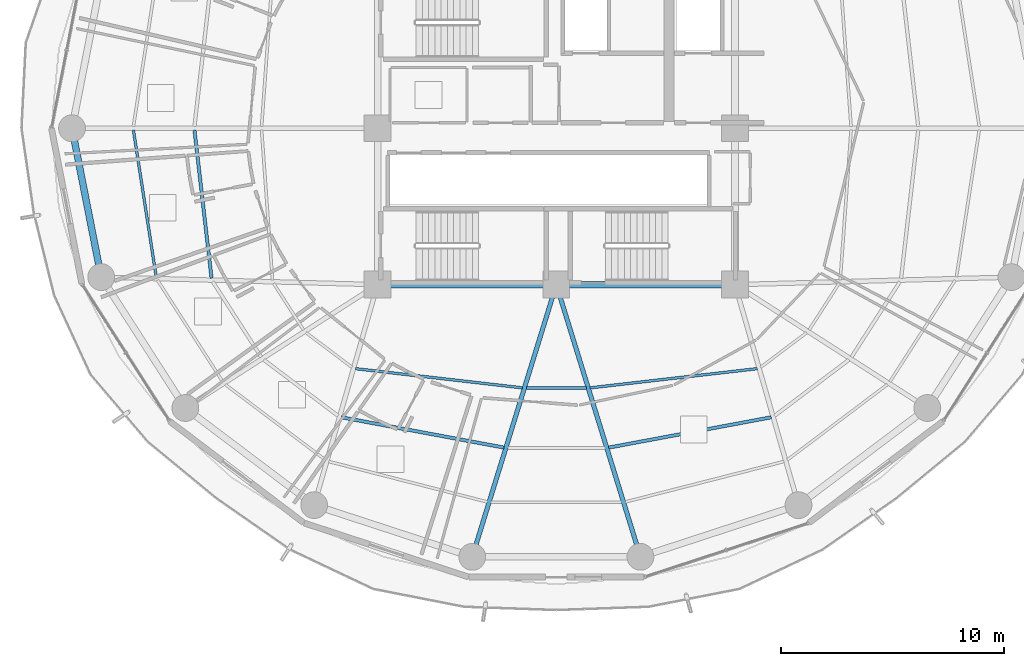
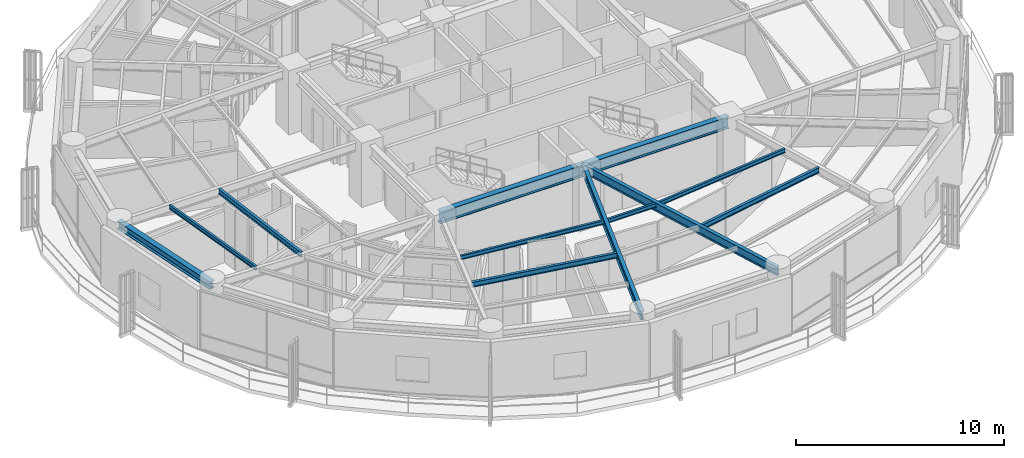
# One storey, part 5 of 29: 12 beams.
"""IFC4 building model written with IfcOpenShell, lengths in metres."""

from ifc_helpers import new_model, si_unit, direction, frame, origin, origin_2d, place, context, subcontext, project, spatial, i_section, extrude, material, material_profile, profile_set, type_object, element, save


model = new_model("IFC4")

# Units and contexts
model_context = context("Model", 3, precision=1e-05, world=origin(), true_north=direction((0.0, 1.0)))
body_context = subcontext(model_context, "Body", "Model", "MODEL_VIEW")
ifc_project = project(units=[si_unit("LENGTHUNIT", "METRE"), si_unit("AREAUNIT", "SQUARE_METRE"), si_unit("VOLUMEUNIT", "CUBIC_METRE"), si_unit("PLANEANGLEUNIT", "RADIAN"), si_unit("MASSUNIT", "GRAM", prefix="KILO")], contexts=[model_context])

# Site, building, storey
site_placement = place(None, origin())
site = spatial("IfcSite", under=ifc_project, at=site_placement, CompositionType="ELEMENT")
building_placement = place(site_placement, origin())
building = spatial("IfcBuilding", under=site, at=building_placement, Name="Kelanora Arch Commons", CompositionType="ELEMENT")
storey_placement = place(building_placement, frame((0.0, 0.0, 135.60009765625)))
storey = spatial("IfcBuildingStorey", under=building, at=storey_placement, Name="L34", CompositionType="ELEMENT", Elevation=135.60009765625)

# Beams
ifc_material = material(Name="Steel S355", Category="steel")
ifc_material_profile_1 = material_profile(ifc_material, i_section(OverallWidth=0.300048828125, OverallDepth=0.699951171875, WebThickness=0.01708984375, FlangeThickness=0.031982421875, FilletRadius=0.027099609375, at=origin_2d()), Name="HEB700")
ifc_profile_set_1 = profile_set([ifc_material_profile_1], Name="Steel S355")
beam_type_1 = type_object("IfcBeamType", Name="BM-CORE-HDR", PredefinedType="BEAM", material=ifc_profile_set_1)
for number, where, z_axis, x_axis, name in (
    (1, (66.0, 51.0, 3.139892578125), (1.0, 0.0, 0.0), (0.0, 1.0, 0.0), "Core Header Beam 01 L34"),
    (2, (74.0, 51.0, 3.139892578125), (1.0, 0.0, 0.0), (0.0, 1.0, 0.0), "Core Header Beam 02 L34"),
):
    element("IfcBeam", number, at=place(storey_placement, frame(where, z_axis=z_axis, x_axis=x_axis)), inside=storey, type_object=beam_type_1, Name=name, PredefinedType="BEAM", context=body_context, shape_type="SweptSolid", body=[
        extrude(i_section(OverallWidth=0.300048828125, OverallDepth=0.699951171875, WebThickness=0.01708984375, FlangeThickness=0.031982421875, FilletRadius=0.027099609375, at=origin_2d()), origin(), (0.0, 0.0, 1.0), 8.0),
    ])
ifc_material_profile_2 = material_profile(ifc_material, i_section(OverallWidth=0.14990234375, OverallDepth=0.300048828125, WebThickness=0.007080078125, FlangeThickness=0.0107421875, FilletRadius=0.014892578125, at=origin_2d()), Name="IPE300")
ifc_profile_set_2 = profile_set([ifc_material_profile_2], Name="Steel S355")
beam_type_2 = type_object("IfcBeamType", Name="BM-JST-01", PredefinedType="JOIST", material=ifc_profile_set_2)
beam_1_placement = place(storey_placement, frame((57.8017578125, 57.91552734375, 3.33984375), z_axis=(0.114667159005, -0.9934039675, 0.0), x_axis=(0.9934039675, 0.114667159005, 0.0)))
element("IfcBeam", 3, at=beam_1_placement, inside=storey, type_object=beam_type_2, Name="Secondary Chord Joist BJB-18 L34", PredefinedType="JOIST", context=body_context, shape_type="SweptSolid", body=[
    extrude(i_section(OverallWidth=0.14990234375, OverallDepth=0.300048828125, WebThickness=0.007080078125, FlangeThickness=0.0107421875, FilletRadius=0.014892578125, at=origin_2d()), origin(), (0.0, 0.0, 1.0), 6.672607421875),
])
for number, where, z_axis, x_axis, name in (
    (4, (64.379638671875, 45.062255859375, 3.33984375), (0.983054256126, -0.183314837134, 0.0), (0.183314837134, 0.983054256126, 0.0), "Secondary Chord Joist BJB-24 L34"),
    (5, (76.34228515625, 43.705078125, 3.33984375), (0.983054256126, 0.183314837134, 0.0), (-0.183314837134, 0.983054256126, 0.0), "Secondary Chord Joist BJB-28 L34"),
):
    element("IfcBeam", number, at=place(storey_placement, frame(where, z_axis=z_axis, x_axis=x_axis)), inside=storey, type_object=beam_type_2, Name=name, PredefinedType="JOIST", context=body_context, shape_type="SweptSolid", body=[
        extrude(i_section(OverallWidth=0.14990234375, OverallDepth=0.300048828125, WebThickness=0.007080078125, FlangeThickness=0.0107421875, FilletRadius=0.014892578125, at=origin_2d()), origin(), (0.0, 0.0, 1.0), 7.403564453125),
    ])
ifc_material_profile_3 = material_profile(ifc_material, i_section(OverallWidth=0.1201171875, OverallDepth=0.239990234375, WebThickness=0.006103515625, FlangeThickness=0.009765625, FilletRadius=0.014892578125, at=origin_2d()), Name="IPE240")
ifc_profile_set_3 = profile_set([ifc_material_profile_3], Name="Steel S355")
beam_type_3 = type_object("IfcBeamType", Name="BM-JST-02", PredefinedType="JOIST", material=ifc_profile_set_3)
beam_2_placement = place(storey_placement, frame((55.069091796875, 57.916015625, 3.369873046875), z_axis=(0.153562625853, -0.988138917329, 0.0), x_axis=(0.988138917329, 0.153562625853, 0.0)))
element("IfcBeam", 6, at=beam_2_placement, inside=storey, type_object=beam_type_3, Name="Secondary Chord Joist BJC-18 L34", PredefinedType="JOIST", context=body_context, shape_type="SweptSolid", body=[
    extrude(i_section(OverallWidth=0.1201171875, OverallDepth=0.239990234375, WebThickness=0.006103515625, FlangeThickness=0.009765625, FilletRadius=0.014892578125, at=origin_2d()), origin(), (0.0, 0.0, 1.0), 6.640869140625),
])
beam_3_placement = place(storey_placement, frame((65.005126953125, 47.239501953125, 3.369873046875), z_axis=(0.993457414184, -0.114203179475, 0.0), x_axis=(0.114203179475, 0.993457414184, 0.0)))
element("IfcBeam", 7, at=beam_3_placement, inside=storey, type_object=beam_type_3, Name="Secondary Chord Joist BJA-24 L34", PredefinedType="JOIST", context=body_context, shape_type="SweptSolid", body=[
    extrude(i_section(OverallWidth=0.1201171875, OverallDepth=0.239990234375, WebThickness=0.006103515625, FlangeThickness=0.009765625, FilletRadius=0.014892578125, at=origin_2d()), origin(), (0.0, 0.0, 1.0), 7.529296875),
])
beam_4_placement = place(storey_placement, frame((72.654296875, 46.3701171875, 3.369873046875), z_axis=(1.0, 0.0, 0.0), x_axis=(0.0, 1.0, 0.0)))
element("IfcBeam", 8, at=beam_4_placement, inside=storey, type_object=beam_type_3, Name="Secondary Chord Joist BJA-26 L34", PredefinedType="JOIST", context=body_context, shape_type="SweptSolid", body=[
    extrude(i_section(OverallWidth=0.1201171875, OverallDepth=0.239990234375, WebThickness=0.006103515625, FlangeThickness=0.009765625, FilletRadius=0.014892578125, at=origin_2d()), origin(), (0.0, 0.0, 1.0), 2.69140625),
])
beam_5_placement = place(storey_placement, frame((75.514892578125, 46.379638671875, 3.369873046875), z_axis=(0.993457414184, 0.114203179475, 0.0), x_axis=(-0.114203179475, 0.993457414184, 0.0)))
element("IfcBeam", 9, at=beam_5_placement, inside=storey, type_object=beam_type_3, Name="Secondary Chord Joist BJA-28 L34", PredefinedType="JOIST", context=body_context, shape_type="SweptSolid", body=[
    extrude(i_section(OverallWidth=0.1201171875, OverallDepth=0.239990234375, WebThickness=0.006103515625, FlangeThickness=0.009765625, FilletRadius=0.014892578125, at=origin_2d()), origin(), (0.0, 0.0, 1.0), 7.529296875),
])
ifc_material_profile_4 = material_profile(ifc_material, i_section(OverallWidth=0.199951171875, OverallDepth=0.5, WebThickness=0.01025390625, FlangeThickness=0.01611328125, FilletRadius=0.02099609375, at=origin_2d()), Name="IPE500")
ifc_profile_set_4 = profile_set([ifc_material_profile_4], Name="Steel S355")
beam_type_4 = type_object("IfcBeamType", Name="BM-RAD-Z3", PredefinedType="BEAM", material=ifc_profile_set_4)
for number, where, z_axis, x_axis, name in (
    (10, (74.0, 51.0, 3.239990234375), (-0.295210315095, -0.955432294755, 0.0), (0.955432294755, -0.295210315095, 0.0), "Radial Floor Girder BR-26 L34"),
    (11, (74.0, 51.0, 3.239990234375), (0.295210315095, -0.955432294755, 0.0), (0.955432294755, 0.295210315095, 0.0), "Radial Floor Girder BR-28 L34"),
):
    element("IfcBeam", number, at=place(storey_placement, frame(where, z_axis=z_axis, x_axis=x_axis)), inside=storey, type_object=beam_type_4, Name=name, PredefinedType="BEAM", context=body_context, shape_type="SweptSolid", body=[
        extrude(i_section(OverallWidth=0.199951171875, OverallDepth=0.5, WebThickness=0.01025390625, FlangeThickness=0.01611328125, FilletRadius=0.02099609375, at=origin_2d()), origin(), (0.0, 0.0, 1.0), 12.75244140625),
    ])
ifc_material_profile_5 = material_profile(ifc_material, i_section(OverallWidth=0.300048828125, OverallDepth=0.449951171875, WebThickness=0.013916015625, FlangeThickness=0.02587890625, FilletRadius=0.027099609375, at=origin_2d()), Name="HEB450")
ifc_profile_set_5 = profile_set([ifc_material_profile_5], Name="Steel S355")
beam_type_5 = type_object("IfcBeamType", Name="BM-SPN-Z3", PredefinedType="SPANDREL", material=ifc_profile_set_5)
beam_6_placement = place(storey_placement, frame((52.320068359375, 58.0, 3.264892578125), z_axis=(0.192553643556, -0.981286448675, 0.0), x_axis=(0.981286448675, 0.192553643556, 0.0)))
element("IfcBeam", 12, at=beam_6_placement, inside=storey, type_object=beam_type_5, Name="Perimeter Spandrel Beam BS-18 L34", PredefinedType="SPANDREL", context=body_context, shape_type="SweptSolid", body=[
    extrude(i_section(OverallWidth=0.300048828125, OverallDepth=0.449951171875, WebThickness=0.013916015625, FlangeThickness=0.02587890625, FilletRadius=0.027099609375, at=origin_2d()), origin(), (0.0, 0.0, 1.0), 6.78955078125),
])

save(model, "model.ifc")
